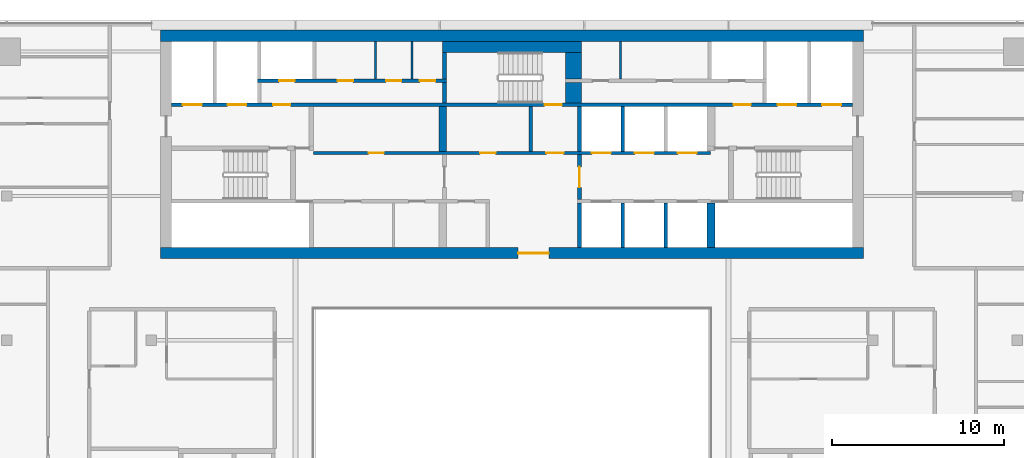
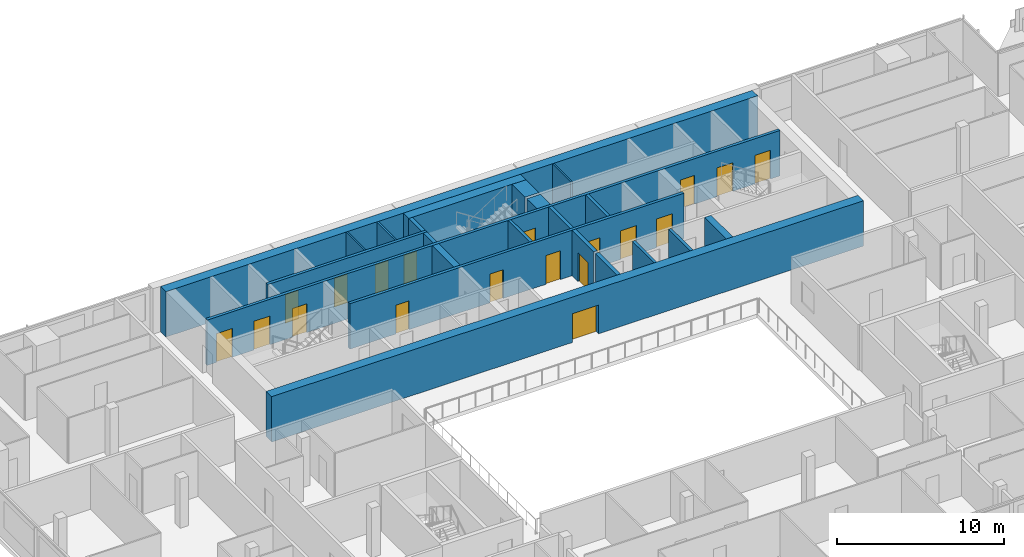
# One storey, part 22 of 30: 22 walls, 19 doors, 19 openings.
"""IFC4 building model written with IfcOpenShell, lengths in metres."""

from ifc_helpers import new_model, si_unit, direction, frame, frame_2d, origin, place, context, subcontext, project, spatial, rectangle, extrude, material, layer, layer_set, type_object, element, fill, save


model = new_model("IFC4")

# Units and contexts
model_context = context("Model", 3, precision=1e-05, world=origin(), true_north=direction((0.0, 1.0)))
body_context = subcontext(model_context, "Body", "Model", "MODEL_VIEW")
ifc_project = project(units=[si_unit("LENGTHUNIT", "METRE"), si_unit("AREAUNIT", "SQUARE_METRE"), si_unit("VOLUMEUNIT", "CUBIC_METRE"), si_unit("PLANEANGLEUNIT", "RADIAN"), si_unit("MASSUNIT", "GRAM", prefix="KILO")], contexts=[model_context])

# Site, building, storey
site_placement = place(None, origin())
site = spatial("IfcSite", under=ifc_project, at=site_placement, CompositionType="ELEMENT")
building_placement = place(site_placement, origin())
building = spatial("IfcBuilding", under=site, at=building_placement, Name="Saffron Gate Tower", CompositionType="ELEMENT")
storey_placement = place(building_placement, frame((0.0, 0.0, 223.5)))
storey = spatial("IfcBuildingStorey", under=building, at=storey_placement, Name="L54", CompositionType="ELEMENT", Elevation=223.5)

# Walls
ifc_material_1 = material(Name="Gypsum board partition on steel studs", Category="steel")
ifc_layer_1 = layer(ifc_material_1, 0.199951171875)
ifc_layer_set_1 = layer_set([ifc_layer_1], Name="CW10 Core partition 200")
wall_type_1 = type_object("IfcWallType", Name="CW10 Core partition 200", PredefinedType="PARTITIONING", material=ifc_layer_set_1)
wall_1_placement = place(storey_placement, frame((88.699951171875, 68.0, 0.0), z_axis=(0.0, 0.0, 1.0), x_axis=(0.0, 1.0, 0.0)))
element("IfcWall", 1, at=wall_1_placement, inside=storey, type_object=wall_type_1, Name="Wall CW10-L54-21", PredefinedType="PARTITIONING", context=body_context, shape_type="SweptSolid", body=[
    extrude(rectangle(XDim=2.60009765625, YDim=0.199951171875, at=frame_2d((1.300048828125, 0.0))), origin(), (0.0, 0.0, 1.0), 3.320068359375),
])
ifc_material_2 = material(Name="Concrete C60", Category="concrete")
ifc_layer_2 = layer(ifc_material_2, 0.25)
ifc_layer_set_2 = layer_set([ifc_layer_2], Name="CW14 RC core wall 250 C60")
wall_type_2 = type_object("IfcWallType", Name="CW14 RC core wall 250 C60", PredefinedType="SOLIDWALL", material=ifc_layer_set_2)
wall_2_placement = place(storey_placement, frame((91.52490234375, 62.39990234375, 0.0), z_axis=(0.0, 0.0, 1.0), x_axis=(0.0, 1.0, 0.0)))
element("IfcWall", 2, at=wall_2_placement, inside=storey, type_object=wall_type_2, Name="Wall CW14-L54-9", PredefinedType="SOLIDWALL", context=body_context, shape_type="SweptSolid", body=[
    extrude(rectangle(XDim=2.60009765625, YDim=0.25, at=frame_2d((1.300048828125, 0.0))), origin(), (0.0, 0.0, 1.0), 3.320068359375),
])

# Wall, opening, door
wall_3_placement = place(storey_placement, frame((91.52490234375, 65.199951171875, 0.0), z_axis=(0.0, 0.0, 1.0), x_axis=(0.0, 1.0, 0.0)))
wall_3 = element("IfcWall", 3, at=wall_3_placement, inside=storey, type_object=wall_type_2, Name="Wall CW14-L54-17", PredefinedType="SOLIDWALL", context=body_context, shape_type="SweptSolid", body=[
    extrude(rectangle(XDim=2.60009765625, YDim=0.25, at=frame_2d((1.300048828125, 0.0))), origin(), (0.0, 0.0, 1.0), 3.320068359375),
])
opening_1_placement = place(wall_3_placement, frame((0.699951171875, 0.0, 0.0)))
opening_1 = element("IfcOpeningElement", 4, at=opening_1_placement, cuts=wall_3, Name="Opening CR-01", PredefinedType="OPENING", context=body_context, shape_type="SweptSolid", body=[
    extrude(rectangle(XDim=1.199951171875, YDim=2.10009765625, at=frame_2d((0.60009765625, 1.050048828125))), frame((0.0, 0.135009765625, 0.0), z_axis=(0.0, -1.0, 0.0), x_axis=(1.0, 0.0, 0.0)), (0.0, 0.0, 1.0), 0.27001953125),
])
ifc_material_3 = material(Name="Steel fire door set", Category="steel")
door_type_1 = type_object("IfcDoorType", Name="CD3 Lobby door 1200x2100 EI 120", OperationType="NOTDEFINED", PredefinedType="DOOR", material=ifc_material_3)
door_1_placement = place(opening_1_placement, origin())
door_1 = element("IfcDoor", 5, at=door_1_placement, inside=storey, type_object=door_type_1, Name="DOOR CR-01", OperationType="SINGLE_SWING_RIGHT", OverallHeight=2.10009765625, OverallWidth=1.199951171875, PredefinedType="DOOR", context=body_context, shape_type="SweptSolid", body=[
    extrude(rectangle(XDim=1.199951171875, YDim=2.10009765625, at=frame_2d((0.60009765625, 1.050048828125))), frame((0.0, 0.02490234375, 0.0), z_axis=(0.0, -1.0, 0.0), x_axis=(1.0, 0.0, 0.0)), (0.0, 0.0, 1.0), 0.050048828125),
])
fill(opening_1, door_1)

# Walls
wall_4_placement = place(storey_placement, frame((91.52490234375, 68.0, 0.0), z_axis=(0.0, 0.0, 1.0), x_axis=(0.0, 1.0, 0.0)))
element("IfcWall", 6, at=wall_4_placement, inside=storey, type_object=wall_type_2, Name="Wall CW14-L54-22", PredefinedType="SOLIDWALL", context=body_context, shape_type="SweptSolid", body=[
    extrude(rectangle(XDim=2.60009765625, YDim=0.25, at=frame_2d((1.300048828125, 0.0))), origin(), (0.0, 0.0, 1.0), 3.320068359375),
])
wall_5_placement = place(storey_placement, frame((83.675048828125, 70.800048828125, 0.0), z_axis=(0.0, 0.0, 1.0), x_axis=(0.0, 1.0, 0.0)))
element("IfcWall", 7, at=wall_5_placement, inside=storey, type_object=wall_type_2, Name="Wall CW14-L54-33", PredefinedType="SOLIDWALL", context=body_context, shape_type="SweptSolid", body=[
    extrude(rectangle(XDim=1.199951171875, YDim=0.25, at=frame_2d((0.60009765625, 0.0))), origin(), (0.0, 0.0, 1.0), 3.320068359375),
])
wall_6_placement = place(storey_placement, frame((83.675048828125, 72.199951171875, 0.0), z_axis=(0.0, 0.0, 1.0), x_axis=(0.0, 1.0, 0.0)))
element("IfcWall", 8, at=wall_6_placement, inside=storey, type_object=wall_type_2, Name="Wall CW14-L54-43", PredefinedType="SOLIDWALL", context=body_context, shape_type="SweptSolid", body=[
    extrude(rectangle(XDim=1.550048828125, YDim=0.25, at=frame_2d((0.77490234375, 0.0))), origin(), (0.0, 0.0, 1.0), 3.320068359375),
])
ifc_layer_3 = layer(ifc_material_2, 0.199951171875)
ifc_layer_set_3 = layer_set([ifc_layer_3], Name="CW15 RC core wall 200 C60")
wall_type_3 = type_object("IfcWallType", Name="CW15 RC core wall 200 C60", PredefinedType="SOLIDWALL", material=ifc_layer_set_3)
for number, where, z_axis, x_axis, name in (
    (9, (94.050048828125, 62.39990234375, 0.0), (0.0, 0.0, 1.0), (0.0, 1.0, 0.0), "Wall CW15-L54-10"),
    (10, (96.550048828125, 62.39990234375, 0.0), (0.0, 0.0, 1.0), (0.0, 1.0, 0.0), "Wall CW15-L54-11"),
):
    element("IfcWall", number, at=place(storey_placement, frame(where, z_axis=z_axis, x_axis=x_axis)), inside=storey, type_object=wall_type_3, Name=name, PredefinedType="SOLIDWALL", context=body_context, shape_type="SweptSolid", body=[
        extrude(rectangle(XDim=2.60009765625, YDim=0.199951171875, at=frame_2d((1.300048828125, 0.0))), origin(), (0.0, 0.0, 1.0), 3.320068359375),
    ])

# Wall, openings, doors
wall_7_placement = place(storey_placement, frame((76.050048828125, 67.89990234375, 0.0), z_axis=(0.0, 0.0, 1.0), x_axis=(1.0, 0.0, 0.0)))
wall_7 = element("IfcWall", 11, at=wall_7_placement, inside=storey, type_object=wall_type_3, Name="Wall CW15-L54-19", PredefinedType="SOLIDWALL", context=body_context, shape_type="SweptSolid", body=[
    extrude(rectangle(XDim=23.099853515625, YDim=0.199951171875, at=frame_2d((11.5498046875, 0.0))), origin(), (0.0, 0.0, 1.0), 3.320068359375),
])
opening_2_placement = place(wall_7_placement, frame((3.199951171875, 0.0, 0.0)))
opening_2 = element("IfcOpeningElement", 12, at=opening_2_placement, cuts=wall_7, Name="Opening CR-61", PredefinedType="OPENING", context=body_context, shape_type="SweptSolid", body=[
    extrude(rectangle(XDim=0.89990234375, YDim=2.10009765625, at=frame_2d((0.449951171875, 1.050048828125))), frame((0.0, 0.10986328125, 0.0), z_axis=(0.0, -1.0, 0.0), x_axis=(1.0, 0.0, 0.0)), (0.0, 0.0, 1.0), 0.219970703125),
])
opening_3_placement = place(wall_7_placement, frame((9.699951171875, 0.0, 0.0)))
opening_3 = element("IfcOpeningElement", 13, at=opening_3_placement, cuts=wall_7, Name="Opening CR-67", PredefinedType="OPENING", context=body_context, shape_type="SweptSolid", body=[
    extrude(rectangle(XDim=0.89990234375, YDim=2.10009765625, at=frame_2d((0.449951171875, 1.050048828125))), frame((0.0, 0.10986328125, 0.0), z_axis=(0.0, -1.0, 0.0), x_axis=(1.0, 0.0, 0.0)), (0.0, 0.0, 1.0), 0.219970703125),
])
opening_4_placement = place(wall_7_placement, frame((13.550048828125, 0.0, 0.0)))
opening_4 = element("IfcOpeningElement", 14, at=opening_4_placement, cuts=wall_7, Name="Opening CR-02", PredefinedType="OPENING", context=body_context, shape_type="SweptSolid", body=[
    extrude(rectangle(XDim=1.0, YDim=2.10009765625, at=frame_2d((0.5, 1.050048828125))), frame((0.0, 0.10986328125, 0.0), z_axis=(0.0, -1.0, 0.0), x_axis=(1.0, 0.0, 0.0)), (0.0, 0.0, 1.0), 0.219970703125),
])
opening_5_placement = place(wall_7_placement, frame((16.199951171875, 0.0, 0.0)))
opening_5 = element("IfcOpeningElement", 15, at=opening_5_placement, cuts=wall_7, Name="Opening LD-HR4", PredefinedType="OPENING", context=body_context, shape_type="SweptSolid", body=[
    extrude(rectangle(XDim=1.10009765625, YDim=2.10009765625, at=frame_2d((0.550048828125, 1.050048828125))), frame((0.0, 0.10986328125, 0.0), z_axis=(0.0, -1.0, 0.0), x_axis=(1.0, 0.0, 0.0)), (0.0, 0.0, 1.0), 0.219970703125),
])
opening_6_placement = place(wall_7_placement, frame((18.699951171875, 0.0, 0.0)))
opening_6 = element("IfcOpeningElement", 16, at=opening_6_placement, cuts=wall_7, Name="Opening LD-HR5", PredefinedType="OPENING", context=body_context, shape_type="SweptSolid", body=[
    extrude(rectangle(XDim=1.10009765625, YDim=2.10009765625, at=frame_2d((0.550048828125, 1.050048828125))), frame((0.0, 0.10986328125, 0.0), z_axis=(0.0, -1.0, 0.0), x_axis=(1.0, 0.0, 0.0)), (0.0, 0.0, 1.0), 0.219970703125),
])
opening_7_placement = place(wall_7_placement, frame((21.199951171875, 0.0, 0.0)))
opening_7 = element("IfcOpeningElement", 17, at=opening_7_placement, cuts=wall_7, Name="Opening LD-HR6", PredefinedType="OPENING", context=body_context, shape_type="SweptSolid", body=[
    extrude(rectangle(XDim=1.10009765625, YDim=2.10009765625, at=frame_2d((0.550048828125, 1.050048828125))), frame((0.0, 0.10986328125, 0.0), z_axis=(0.0, -1.0, 0.0), x_axis=(1.0, 0.0, 0.0)), (0.0, 0.0, 1.0), 0.219970703125),
])
door_type_2 = type_object("IfcDoorType", Name="CD4 Lobby door 1000x2100 EI 120", OperationType="NOTDEFINED", PredefinedType="DOOR", material=ifc_material_3)
door_2_placement = place(opening_4_placement, origin())
door_2 = element("IfcDoor", 18, at=door_2_placement, inside=storey, type_object=door_type_2, Name="DOOR CR-02", OperationType="SINGLE_SWING_LEFT", OverallHeight=2.10009765625, OverallWidth=1.0, PredefinedType="DOOR", context=body_context, shape_type="SweptSolid", body=[
    extrude(rectangle(XDim=1.0, YDim=2.10009765625, at=frame_2d((0.5, 1.050048828125))), frame((0.0, 0.02490234375, 0.0), z_axis=(0.0, -1.0, 0.0), x_axis=(1.0, 0.0, 0.0)), (0.0, 0.0, 1.0), 0.050048828125),
])
fill(opening_4, door_2)
door_type_3 = type_object("IfcDoorType", Name="CD9 Room door 900x2100 EI 60", OperationType="NOTDEFINED", PredefinedType="DOOR", material=ifc_material_3)
door_3_placement = place(opening_2_placement, origin())
door_3 = element("IfcDoor", 19, at=door_3_placement, inside=storey, type_object=door_type_3, Name="DOOR CR-61", OperationType="SINGLE_SWING_LEFT", OverallHeight=2.10009765625, OverallWidth=0.89990234375, PredefinedType="DOOR", context=body_context, shape_type="SweptSolid", body=[
    extrude(rectangle(XDim=0.89990234375, YDim=2.10009765625, at=frame_2d((0.449951171875, 1.050048828125))), frame((0.0, 0.02490234375, 0.0), z_axis=(0.0, -1.0, 0.0), x_axis=(1.0, 0.0, 0.0)), (0.0, 0.0, 1.0), 0.050048828125),
])
fill(opening_2, door_3)
door_4_placement = place(opening_3_placement, origin())
door_4 = element("IfcDoor", 20, at=door_4_placement, inside=storey, type_object=door_type_3, Name="DOOR CR-67", OperationType="SINGLE_SWING_LEFT", OverallHeight=2.10009765625, OverallWidth=0.89990234375, PredefinedType="DOOR", context=body_context, shape_type="SweptSolid", body=[
    extrude(rectangle(XDim=0.89990234375, YDim=2.10009765625, at=frame_2d((0.449951171875, 1.050048828125))), frame((0.0, 0.02490234375, 0.0), z_axis=(0.0, -1.0, 0.0), x_axis=(1.0, 0.0, 0.0)), (0.0, 0.0, 1.0), 0.050048828125),
])
fill(opening_3, door_4)
ifc_material_4 = material(Name="Stainless steel landing door", Category="steel")
door_type_4 = type_object("IfcDoorType", Name="LD Lift landing door 1100x2100 EI 120", OperationType="SLIDING_TO_LEFT", PredefinedType="DOOR", material=ifc_material_4)
door_5_placement = place(opening_5_placement, origin())
door_5 = element("IfcDoor", 21, at=door_5_placement, inside=storey, type_object=door_type_4, Name="LANDING DOOR LD-HR4", OperationType="SLIDING_TO_RIGHT", OverallHeight=2.10009765625, OverallWidth=1.10009765625, PredefinedType="DOOR", context=body_context, shape_type="SweptSolid", body=[
    extrude(rectangle(XDim=1.10009765625, YDim=2.10009765625, at=frame_2d((0.550048828125, 1.050048828125))), frame((0.0, 0.02490234375, 0.0), z_axis=(0.0, -1.0, 0.0), x_axis=(1.0, 0.0, 0.0)), (0.0, 0.0, 1.0), 0.050048828125),
])
fill(opening_5, door_5)
door_6_placement = place(opening_6_placement, origin())
door_6 = element("IfcDoor", 22, at=door_6_placement, inside=storey, type_object=door_type_4, Name="LANDING DOOR LD-HR5", OperationType="SLIDING_TO_RIGHT", OverallHeight=2.10009765625, OverallWidth=1.10009765625, PredefinedType="DOOR", context=body_context, shape_type="SweptSolid", body=[
    extrude(rectangle(XDim=1.10009765625, YDim=2.10009765625, at=frame_2d((0.550048828125, 1.050048828125))), frame((0.0, 0.02490234375, 0.0), z_axis=(0.0, -1.0, 0.0), x_axis=(1.0, 0.0, 0.0)), (0.0, 0.0, 1.0), 0.050048828125),
])
fill(opening_6, door_6)
door_7_placement = place(opening_7_placement, origin())
door_7 = element("IfcDoor", 23, at=door_7_placement, inside=storey, type_object=door_type_4, Name="LANDING DOOR LD-HR6", OperationType="SLIDING_TO_RIGHT", OverallHeight=2.10009765625, OverallWidth=1.10009765625, PredefinedType="DOOR", context=body_context, shape_type="SweptSolid", body=[
    extrude(rectangle(XDim=1.10009765625, YDim=2.10009765625, at=frame_2d((0.550048828125, 1.050048828125))), frame((0.0, 0.02490234375, 0.0), z_axis=(0.0, -1.0, 0.0), x_axis=(1.0, 0.0, 0.0)), (0.0, 0.0, 1.0), 0.050048828125),
])
fill(opening_7, door_7)

# Wall
wall_8_placement = place(storey_placement, frame((94.050048828125, 68.0, 0.0), z_axis=(0.0, 0.0, 1.0), x_axis=(0.0, 1.0, 0.0)))
element("IfcWall", 24, at=wall_8_placement, inside=storey, type_object=wall_type_3, Name="Wall CW15-L54-23", PredefinedType="SOLIDWALL", context=body_context, shape_type="SweptSolid", body=[
    extrude(rectangle(XDim=2.60009765625, YDim=0.199951171875, at=frame_2d((1.300048828125, 0.0))), origin(), (0.0, 0.0, 1.0), 3.320068359375),
])

# Wall, openings, doors
wall_9_placement = place(storey_placement, frame((67.800048828125, 70.699951171875, 0.0), z_axis=(0.0, 0.0, 1.0), x_axis=(1.0, 0.0, 0.0)))
wall_9 = element("IfcWall", 25, at=wall_9_placement, inside=storey, type_object=wall_type_3, Name="Wall CW15-L54-30", PredefinedType="SOLIDWALL", context=body_context, shape_type="SweptSolid", body=[
    extrude(rectangle(XDim=39.599853515625, YDim=0.199951171875, at=frame_2d((19.7998046875, 0.0))), origin(), (0.0, 0.0, 1.0), 3.320068359375),
])
opening_8_placement = place(wall_9_placement, frame((0.64990234375, 0.0, 0.0)))
opening_8 = element("IfcOpeningElement", 26, at=opening_8_placement, cuts=wall_9, Name="Opening LD-FF1", PredefinedType="OPENING", context=body_context, shape_type="SweptSolid", body=[
    extrude(rectangle(XDim=1.10009765625, YDim=2.10009765625, at=frame_2d((0.550048828125, 1.050048828125))), frame((0.0, 0.10986328125, 0.0), z_axis=(0.0, -1.0, 0.0), x_axis=(1.0, 0.0, 0.0)), (0.0, 0.0, 1.0), 0.219970703125),
])
opening_9_placement = place(wall_9_placement, frame((3.25, 0.0, 0.0)))
opening_9 = element("IfcOpeningElement", 27, at=opening_9_placement, cuts=wall_9, Name="Opening LD-SV1", PredefinedType="OPENING", context=body_context, shape_type="SweptSolid", body=[
    extrude(rectangle(XDim=1.10009765625, YDim=2.10009765625, at=frame_2d((0.550048828125, 1.050048828125))), frame((0.0, 0.10986328125, 0.0), z_axis=(0.0, -1.0, 0.0), x_axis=(1.0, 0.0, 0.0)), (0.0, 0.0, 1.0), 0.219970703125),
])
opening_10_placement = place(wall_9_placement, frame((5.89990234375, 0.0, 0.0)))
opening_10 = element("IfcOpeningElement", 28, at=opening_10_placement, cuts=wall_9, Name="Opening CR-03", PredefinedType="OPENING", context=body_context, shape_type="SweptSolid", body=[
    extrude(rectangle(XDim=1.0, YDim=2.10009765625, at=frame_2d((0.5, 1.050048828125))), frame((0.0, 0.10986328125, 0.0), z_axis=(0.0, -1.0, 0.0), x_axis=(1.0, 0.0, 0.0)), (0.0, 0.0, 1.0), 0.219970703125),
])
opening_11_placement = place(wall_9_placement, frame((21.699951171875, 0.0, 0.0)))
opening_11 = element("IfcOpeningElement", 29, at=opening_11_placement, cuts=wall_9, Name="Opening CR-17", PredefinedType="OPENING", context=body_context, shape_type="SweptSolid", body=[
    extrude(rectangle(XDim=1.0, YDim=2.10009765625, at=frame_2d((0.5, 1.050048828125))), frame((0.0, 0.10986328125, 0.0), z_axis=(0.0, -1.0, 0.0), x_axis=(1.0, 0.0, 0.0)), (0.0, 0.0, 1.0), 0.219970703125),
])
opening_12_placement = place(wall_9_placement, frame((32.699951171875, 0.0, 0.0)))
opening_12 = element("IfcOpeningElement", 30, at=opening_12_placement, cuts=wall_9, Name="Opening CR-04", PredefinedType="OPENING", context=body_context, shape_type="SweptSolid", body=[
    extrude(rectangle(XDim=1.0, YDim=2.10009765625, at=frame_2d((0.5, 1.050048828125))), frame((0.0, 0.10986328125, 0.0), z_axis=(0.0, -1.0, 0.0), x_axis=(1.0, 0.0, 0.0)), (0.0, 0.0, 1.0), 0.219970703125),
])
opening_13_placement = place(wall_9_placement, frame((35.25, 0.0, 0.0)))
opening_13 = element("IfcOpeningElement", 31, at=opening_13_placement, cuts=wall_9, Name="Opening LD-SV2", PredefinedType="OPENING", context=body_context, shape_type="SweptSolid", body=[
    extrude(rectangle(XDim=1.10009765625, YDim=2.10009765625, at=frame_2d((0.550048828125, 1.050048828125))), frame((0.0, 0.10986328125, 0.0), z_axis=(0.0, -1.0, 0.0), x_axis=(1.0, 0.0, 0.0)), (0.0, 0.0, 1.0), 0.219970703125),
])
opening_14_placement = place(wall_9_placement, frame((37.85009765625, 0.0, 0.0)))
opening_14 = element("IfcOpeningElement", 32, at=opening_14_placement, cuts=wall_9, Name="Opening LD-FF2", PredefinedType="OPENING", context=body_context, shape_type="SweptSolid", body=[
    extrude(rectangle(XDim=1.10009765625, YDim=2.10009765625, at=frame_2d((0.550048828125, 1.050048828125))), frame((0.0, 0.10986328125, 0.0), z_axis=(0.0, -1.0, 0.0), x_axis=(1.0, 0.0, 0.0)), (0.0, 0.0, 1.0), 0.219970703125),
])
door_8_placement = place(opening_10_placement, origin())
door_8 = element("IfcDoor", 33, at=door_8_placement, inside=storey, type_object=door_type_2, Name="DOOR CR-03", OperationType="SINGLE_SWING_LEFT", OverallHeight=2.10009765625, OverallWidth=1.0, PredefinedType="DOOR", context=body_context, shape_type="SweptSolid", body=[
    extrude(rectangle(XDim=1.0, YDim=2.10009765625, at=frame_2d((0.5, 1.050048828125))), frame((0.0, 0.02490234375, 0.0), z_axis=(0.0, -1.0, 0.0), x_axis=(1.0, 0.0, 0.0)), (0.0, 0.0, 1.0), 0.050048828125),
])
fill(opening_10, door_8)
door_9_placement = place(opening_12_placement, origin())
door_9 = element("IfcDoor", 34, at=door_9_placement, inside=storey, type_object=door_type_2, Name="DOOR CR-04", OperationType="SINGLE_SWING_RIGHT", OverallHeight=2.10009765625, OverallWidth=1.0, PredefinedType="DOOR", context=body_context, shape_type="SweptSolid", body=[
    extrude(rectangle(XDim=1.0, YDim=2.10009765625, at=frame_2d((0.5, 1.050048828125))), frame((0.0, 0.02490234375, 0.0), z_axis=(0.0, -1.0, 0.0), x_axis=(1.0, 0.0, 0.0)), (0.0, 0.0, 1.0), 0.050048828125),
])
fill(opening_12, door_9)
door_type_5 = type_object("IfcDoorType", Name="CD5 Stair door 1000x2100 EI 120", OperationType="NOTDEFINED", PredefinedType="DOOR", material=ifc_material_3)
door_10_placement = place(opening_11_placement, origin())
door_10 = element("IfcDoor", 35, at=door_10_placement, inside=storey, type_object=door_type_5, Name="DOOR CR-17", OperationType="SINGLE_SWING_RIGHT", OverallHeight=2.10009765625, OverallWidth=1.0, PredefinedType="DOOR", context=body_context, shape_type="SweptSolid", body=[
    extrude(rectangle(XDim=1.0, YDim=2.10009765625, at=frame_2d((0.5, 1.050048828125))), frame((0.0, 0.02490234375, 0.0), z_axis=(0.0, -1.0, 0.0), x_axis=(1.0, 0.0, 0.0)), (0.0, 0.0, 1.0), 0.050048828125),
])
fill(opening_11, door_10)
door_11_placement = place(opening_8_placement, origin())
door_11 = element("IfcDoor", 36, at=door_11_placement, inside=storey, type_object=door_type_4, Name="LANDING DOOR LD-FF1", OperationType="SLIDING_TO_RIGHT", OverallHeight=2.10009765625, OverallWidth=1.10009765625, PredefinedType="DOOR", context=body_context, shape_type="SweptSolid", body=[
    extrude(rectangle(XDim=1.10009765625, YDim=2.10009765625, at=frame_2d((0.550048828125, 1.050048828125))), frame((0.0, 0.02490234375, 0.0), z_axis=(0.0, -1.0, 0.0), x_axis=(1.0, 0.0, 0.0)), (0.0, 0.0, 1.0), 0.050048828125),
])
fill(opening_8, door_11)
door_12_placement = place(opening_9_placement, origin())
door_12 = element("IfcDoor", 37, at=door_12_placement, inside=storey, type_object=door_type_4, Name="LANDING DOOR LD-SV1", OperationType="SLIDING_TO_RIGHT", OverallHeight=2.10009765625, OverallWidth=1.10009765625, PredefinedType="DOOR", context=body_context, shape_type="SweptSolid", body=[
    extrude(rectangle(XDim=1.10009765625, YDim=2.10009765625, at=frame_2d((0.550048828125, 1.050048828125))), frame((0.0, 0.02490234375, 0.0), z_axis=(0.0, -1.0, 0.0), x_axis=(1.0, 0.0, 0.0)), (0.0, 0.0, 1.0), 0.050048828125),
])
fill(opening_9, door_12)
door_13_placement = place(opening_13_placement, origin())
door_13 = element("IfcDoor", 38, at=door_13_placement, inside=storey, type_object=door_type_4, Name="LANDING DOOR LD-SV2", OperationType="SLIDING_TO_RIGHT", OverallHeight=2.10009765625, OverallWidth=1.10009765625, PredefinedType="DOOR", context=body_context, shape_type="SweptSolid", body=[
    extrude(rectangle(XDim=1.10009765625, YDim=2.10009765625, at=frame_2d((0.550048828125, 1.050048828125))), frame((0.0, 0.02490234375, 0.0), z_axis=(0.0, -1.0, 0.0), x_axis=(1.0, 0.0, 0.0)), (0.0, 0.0, 1.0), 0.050048828125),
])
fill(opening_13, door_13)
door_14_placement = place(opening_14_placement, origin())
door_14 = element("IfcDoor", 39, at=door_14_placement, inside=storey, type_object=door_type_4, Name="LANDING DOOR LD-FF2", OperationType="SLIDING_TO_RIGHT", OverallHeight=2.10009765625, OverallWidth=1.10009765625, PredefinedType="DOOR", context=body_context, shape_type="SweptSolid", body=[
    extrude(rectangle(XDim=1.10009765625, YDim=2.10009765625, at=frame_2d((0.550048828125, 1.050048828125))), frame((0.0, 0.02490234375, 0.0), z_axis=(0.0, -1.0, 0.0), x_axis=(1.0, 0.0, 0.0)), (0.0, 0.0, 1.0), 0.050048828125),
])
fill(opening_14, door_14)

wall_10_placement = place(storey_placement, frame((72.800048828125, 72.10009765625, 0.0), z_axis=(0.0, 0.0, 1.0), x_axis=(1.0, 0.0, 0.0)))
wall_10 = element("IfcWall", 40, at=wall_10_placement, inside=storey, type_object=wall_type_3, Name="Wall CW15-L54-37", PredefinedType="SOLIDWALL", context=body_context, shape_type="SweptSolid", body=[
    extrude(rectangle(XDim=11.0, YDim=0.199951171875, at=frame_2d((5.5, 0.0))), origin(), (0.0, 0.0, 1.0), 3.320068359375),
])
opening_15_placement = place(wall_10_placement, frame((1.25, 0.0, 0.0)))
opening_15 = element("IfcOpeningElement", 41, at=opening_15_placement, cuts=wall_10, Name="Opening CR-71", PredefinedType="OPENING", context=body_context, shape_type="SweptSolid", body=[
    extrude(rectangle(XDim=0.89990234375, YDim=2.10009765625, at=frame_2d((0.449951171875, 1.050048828125))), frame((0.0, 0.10986328125, 0.0), z_axis=(0.0, -1.0, 0.0), x_axis=(1.0, 0.0, 0.0)), (0.0, 0.0, 1.0), 0.219970703125),
])
opening_16_placement = place(wall_10_placement, frame((4.64990234375, 0.0, 0.0)))
opening_16 = element("IfcOpeningElement", 42, at=opening_16_placement, cuts=wall_10, Name="Opening CR-55", PredefinedType="OPENING", context=body_context, shape_type="SweptSolid", body=[
    extrude(rectangle(XDim=0.89990234375, YDim=2.10009765625, at=frame_2d((0.449951171875, 1.050048828125))), frame((0.0, 0.10986328125, 0.0), z_axis=(0.0, -1.0, 0.0), x_axis=(1.0, 0.0, 0.0)), (0.0, 0.0, 1.0), 0.219970703125),
])
opening_17_placement = place(wall_10_placement, frame((7.469970703125, 0.0, 0.0)))
opening_17 = element("IfcOpeningElement", 43, at=opening_17_placement, cuts=wall_10, Name="Opening CR-58", PredefinedType="OPENING", context=body_context, shape_type="SweptSolid", body=[
    extrude(rectangle(XDim=0.89990234375, YDim=2.10009765625, at=frame_2d((0.449951171875, 1.050048828125))), frame((0.0, 0.10986328125, 0.0), z_axis=(0.0, -1.0, 0.0), x_axis=(1.0, 0.0, 0.0)), (0.0, 0.0, 1.0), 0.219970703125),
])
opening_18_placement = place(wall_10_placement, frame((9.445068359375, 0.0, 0.0)))
opening_18 = element("IfcOpeningElement", 44, at=opening_18_placement, cuts=wall_10, Name="Opening CR-59", PredefinedType="OPENING", context=body_context, shape_type="SweptSolid", body=[
    extrude(rectangle(XDim=0.89990234375, YDim=2.10009765625, at=frame_2d((0.449951171875, 1.050048828125))), frame((0.0, 0.10986328125, 0.0), z_axis=(0.0, -1.0, 0.0), x_axis=(1.0, 0.0, 0.0)), (0.0, 0.0, 1.0), 0.219970703125),
])
door_type_6 = type_object("IfcDoorType", Name="CD2 Riser door 900x2100 EI 60", OperationType="NOTDEFINED", PredefinedType="DOOR", material=ifc_material_3)
door_15_placement = place(opening_15_placement, origin())
door_15 = element("IfcDoor", 45, at=door_15_placement, inside=storey, type_object=door_type_6, Name="DOOR CR-71", OperationType="SINGLE_SWING_LEFT", OverallHeight=2.10009765625, OverallWidth=0.89990234375, PredefinedType="DOOR", context=body_context, shape_type="SweptSolid", body=[
    extrude(rectangle(XDim=0.89990234375, YDim=2.10009765625, at=frame_2d((0.449951171875, 1.050048828125))), frame((0.0, 0.02490234375, 0.0), z_axis=(0.0, -1.0, 0.0), x_axis=(1.0, 0.0, 0.0)), (0.0, 0.0, 1.0), 0.050048828125),
])
fill(opening_15, door_15)
door_16_placement = place(opening_16_placement, origin())
door_16 = element("IfcDoor", 46, at=door_16_placement, inside=storey, type_object=door_type_3, Name="DOOR CR-55", OperationType="SINGLE_SWING_LEFT", OverallHeight=2.10009765625, OverallWidth=0.89990234375, PredefinedType="DOOR", context=body_context, shape_type="SweptSolid", body=[
    extrude(rectangle(XDim=0.89990234375, YDim=2.10009765625, at=frame_2d((0.449951171875, 1.050048828125))), frame((0.0, 0.02490234375, 0.0), z_axis=(0.0, -1.0, 0.0), x_axis=(1.0, 0.0, 0.0)), (0.0, 0.0, 1.0), 0.050048828125),
])
fill(opening_16, door_16)
door_17_placement = place(opening_17_placement, origin())
door_17 = element("IfcDoor", 47, at=door_17_placement, inside=storey, type_object=door_type_3, Name="DOOR CR-58", OperationType="SINGLE_SWING_LEFT", OverallHeight=2.10009765625, OverallWidth=0.89990234375, PredefinedType="DOOR", context=body_context, shape_type="SweptSolid", body=[
    extrude(rectangle(XDim=0.89990234375, YDim=2.10009765625, at=frame_2d((0.449951171875, 1.050048828125))), frame((0.0, 0.02490234375, 0.0), z_axis=(0.0, -1.0, 0.0), x_axis=(1.0, 0.0, 0.0)), (0.0, 0.0, 1.0), 0.050048828125),
])
fill(opening_17, door_17)
door_18_placement = place(opening_18_placement, origin())
door_18 = element("IfcDoor", 48, at=door_18_placement, inside=storey, type_object=door_type_3, Name="DOOR CR-59", OperationType="SINGLE_SWING_LEFT", OverallHeight=2.10009765625, OverallWidth=0.89990234375, PredefinedType="DOOR", context=body_context, shape_type="SweptSolid", body=[
    extrude(rectangle(XDim=0.89990234375, YDim=2.10009765625, at=frame_2d((0.449951171875, 1.050048828125))), frame((0.0, 0.02490234375, 0.0), z_axis=(0.0, -1.0, 0.0), x_axis=(1.0, 0.0, 0.0)), (0.0, 0.0, 1.0), 0.050048828125),
])
fill(opening_18, door_18)

# Walls
ifc_layer_4 = layer(ifc_material_2, 0.449951171875)
ifc_layer_set_4 = layer_set([ifc_layer_4], Name="CW16 RC core wall 450 C60")
wall_type_4 = type_object("IfcWallType", Name="CW16 RC core wall 450 C60", PredefinedType="SOLIDWALL", material=ifc_layer_set_4)
for number, where, z_axis, x_axis, name in (
    (49, (99.175048828125, 62.39990234375, 0.0), (0.0, 0.0, 1.0), (0.0, 1.0, 0.0), "Wall CW16-L54-12"),
    (50, (83.574951171875, 68.0, 0.0), (0.0, 0.0, 1.0), (0.0, 1.0, 0.0), "Wall CW16-L54-20"),
):
    element("IfcWall", number, at=place(storey_placement, frame(where, z_axis=z_axis, x_axis=x_axis)), inside=storey, type_object=wall_type_4, Name=name, PredefinedType="SOLIDWALL", context=body_context, shape_type="SweptSolid", body=[
        extrude(rectangle(XDim=2.60009765625, YDim=0.449951171875, at=frame_2d((1.300048828125, 0.0))), origin(), (0.0, 0.0, 1.0), 3.320068359375),
    ])
ifc_layer_5 = layer(ifc_material_2, 0.949951171875)
ifc_layer_set_5 = layer_set([ifc_layer_5], Name="CW19 RC core wall 950 C60")
wall_type_5 = type_object("IfcWallType", Name="CW19 RC core wall 950 C60", PredefinedType="SOLIDWALL", material=ifc_layer_set_5)
wall_11_placement = place(storey_placement, frame((91.175048828125, 70.800048828125, 0.0), z_axis=(0.0, 0.0, 1.0), x_axis=(0.0, 1.0, 0.0)))
element("IfcWall", 51, at=wall_11_placement, inside=storey, type_object=wall_type_5, Name="Wall CW19-L54-34", PredefinedType="SOLIDWALL", context=body_context, shape_type="SweptSolid", body=[
    extrude(rectangle(XDim=1.199951171875, YDim=0.949951171875, at=frame_2d((0.60009765625, 0.0))), origin(), (0.0, 0.0, 1.0), 3.320068359375),
])
wall_12_placement = place(storey_placement, frame((91.175048828125, 72.199951171875, 0.0), z_axis=(0.0, 0.0, 1.0), x_axis=(0.0, 1.0, 0.0)))
element("IfcWall", 52, at=wall_12_placement, inside=storey, type_object=wall_type_5, Name="Wall CW19-L54-44", PredefinedType="SOLIDWALL", context=body_context, shape_type="SweptSolid", body=[
    extrude(rectangle(XDim=1.550048828125, YDim=0.949951171875, at=frame_2d((0.77490234375, 0.0))), origin(), (0.0, 0.0, 1.0), 3.320068359375),
])

# Wall, opening, door
ifc_layer_6 = layer(ifc_material_2, 0.64990234375)
ifc_layer_set_6 = layer_set([ifc_layer_6], Name="CW20 RC core wall 650 C60")
wall_type_6 = type_object("IfcWallType", Name="CW20 RC core wall 650 C60", PredefinedType="SOLIDWALL", material=ifc_layer_set_6)
wall_13_placement = place(storey_placement, frame((67.14990234375, 62.074951171875, 0.0), z_axis=(0.0, 0.0, 1.0), x_axis=(1.0, 0.0, 0.0)))
wall_13 = element("IfcWall", 53, at=wall_13_placement, inside=storey, type_object=wall_type_6, Name="Wall CW20-L54-1", PredefinedType="SOLIDWALL", context=body_context, shape_type="SweptSolid", body=[
    extrude(rectangle(XDim=40.900146484375, YDim=0.64990234375, at=frame_2d((20.4501953125, 0.0))), origin(), (0.0, 0.0, 1.0), 3.320068359375),
])
opening_19_placement = place(wall_13_placement, frame((20.800048828125, 0.0, 0.0)))
opening_19 = element("IfcOpeningElement", 54, at=opening_19_placement, cuts=wall_13, Name="Opening CR-09", PredefinedType="OPENING", context=body_context, shape_type="SweptSolid", body=[
    extrude(rectangle(XDim=1.800048828125, YDim=2.10009765625, at=frame_2d((0.89990234375, 1.050048828125))), frame((0.0, 0.3349609375, 0.0), z_axis=(0.0, -1.0, 0.0), x_axis=(1.0, 0.0, 0.0)), (0.0, 0.0, 1.0), 0.669921875),
])
door_type_7 = type_object("IfcDoorType", Name="CD1 Core entrance door 1800x2100 EI 120", OperationType="NOTDEFINED", PredefinedType="DOOR", material=ifc_material_3)
door_19_placement = place(opening_19_placement, origin())
door_19 = element("IfcDoor", 55, at=door_19_placement, inside=storey, type_object=door_type_7, Name="DOOR CR-09", OperationType="DOUBLE_DOOR_SINGLE_SWING", OverallHeight=2.10009765625, OverallWidth=1.800048828125, PredefinedType="DOOR", context=body_context, shape_type="SweptSolid", body=[
    extrude(rectangle(XDim=1.800048828125, YDim=2.10009765625, at=frame_2d((0.89990234375, 1.050048828125))), frame((0.0, 0.02490234375, 0.0), z_axis=(0.0, -1.0, 0.0), x_axis=(1.0, 0.0, 0.0)), (0.0, 0.0, 1.0), 0.050048828125),
])
fill(opening_19, door_19)

# Walls
wall_14_placement = place(storey_placement, frame((67.14990234375, 74.72509765625, 0.0), z_axis=(0.0, 0.0, 1.0), x_axis=(1.0, 0.0, 0.0)))
element("IfcWall", 56, at=wall_14_placement, inside=storey, type_object=wall_type_6, Name="Wall CW20-L54-2", PredefinedType="SOLIDWALL", context=body_context, shape_type="SweptSolid", body=[
    extrude(rectangle(XDim=40.900146484375, YDim=0.64990234375, at=frame_2d((20.4501953125, 0.0))), origin(), (0.0, 0.0, 1.0), 3.320068359375),
])
wall_15_placement = place(storey_placement, frame((83.550048828125, 74.074951171875, 0.0), z_axis=(0.0, 0.0, 1.0), x_axis=(1.0, 0.0, 0.0)))
element("IfcWall", 57, at=wall_15_placement, inside=storey, type_object=wall_type_6, Name="Wall CW20-L54-48", PredefinedType="SOLIDWALL", context=body_context, shape_type="SweptSolid", body=[
    extrude(rectangle(XDim=8.099853515625, YDim=0.64990234375, at=frame_2d((4.0498046875, 0.0))), origin(), (0.0, 0.0, 1.0), 3.320068359375),
])
ifc_layer_7 = layer(ifc_material_1, 0.1201171875)
ifc_layer_set_7 = layer_set([ifc_layer_7], Name="CW8 Core partition 120")
wall_type_7 = type_object("IfcWallType", Name="CW8 Core partition 120", PredefinedType="PARTITIONING", material=ifc_layer_set_7)
for number, where, z_axis, x_axis, name in (
    (58, (79.659912109375, 72.199951171875, 0.0), (0.0, 0.0, 1.0), (0.0, 1.0, 0.0), "Wall CW8-L54-41"),
    (59, (81.780029296875, 72.199951171875, 0.0), (0.0, 0.0, 1.0), (0.0, 1.0, 0.0), "Wall CW8-L54-42"),
    (60, (93.909912109375, 72.199951171875, 0.0), (0.0, 0.0, 1.0), (0.0, 1.0, 0.0), "Wall CW8-L54-45"),
):
    element("IfcWall", number, at=place(storey_placement, frame(where, z_axis=z_axis, x_axis=x_axis)), inside=storey, type_object=wall_type_7, Name=name, PredefinedType="PARTITIONING", context=body_context, shape_type="SweptSolid", body=[
        extrude(rectangle(XDim=2.199951171875, YDim=0.1201171875, at=frame_2d((1.10009765625, 0.0))), origin(), (0.0, 0.0, 1.0), 3.320068359375),
    ])

save(model, "model.ifc")
